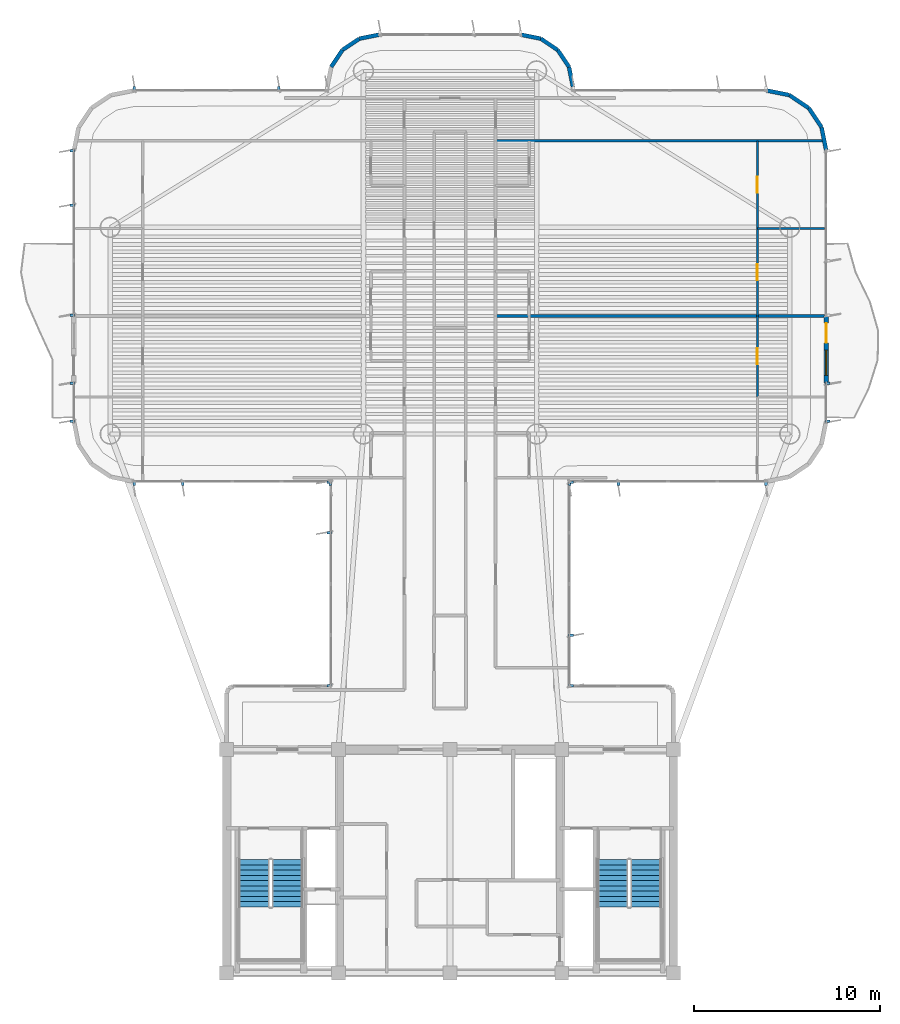
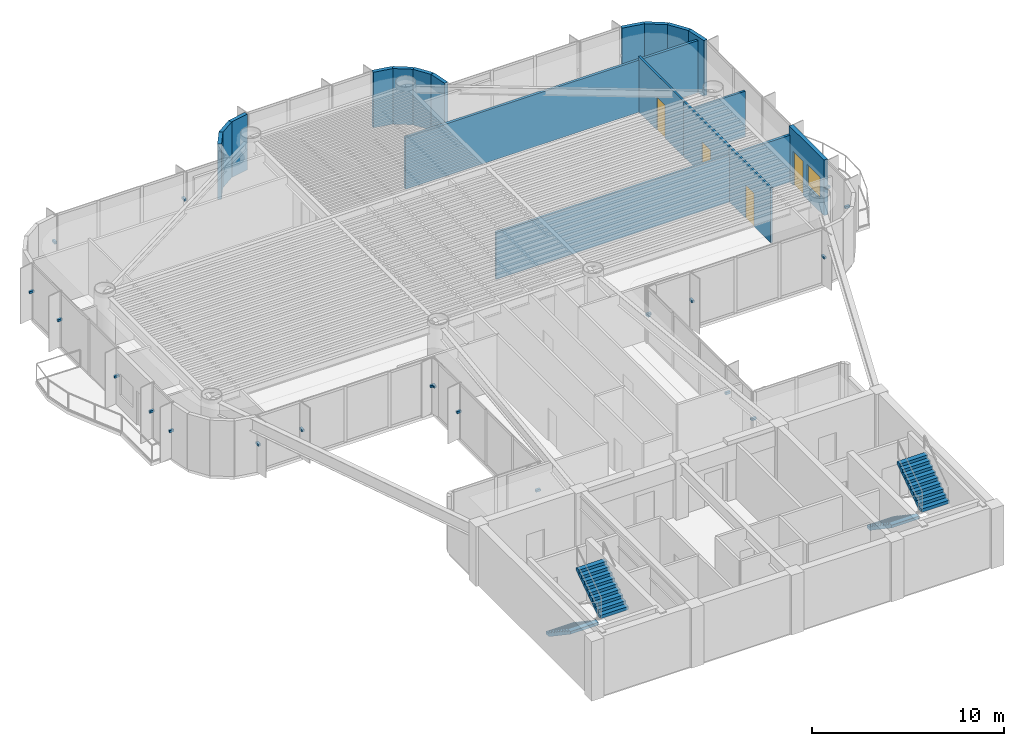
# One storey, part 12 of 15: 21 discrete accessories, 18 walls, 4 doors, 4 stair flights, 1 window, 5 openings, 2 elements without a shape of their own.
"""IFC4 building model written with IfcOpenShell, lengths in metres."""

import ifcopenshell
import ifcopenshell.guid

model = None  # the IFC model being written
_history = None  # IfcOwnerHistory: only IFC2X3 demands one
_inside = {}  # id of a spatial element -> (the spatial element, [elements in it])
_under = {}  # id of a project, library or spatial element -> (it, [spatial elements below it])
_declared = {}  # id of a project -> (the project, [libraries it declares])
_typed = {}  # id of a type object -> (the type object, [elements of that type])
_made_of = {}  # id of a material, layer set ... -> (it, [elements and type objects made of it])


def new_model(schema):
    """Start an empty IFC model of exactly this schema.

    Asked for "IFC4X3", IfcOpenShell would pick the latest addendum, in which some entities
    have other attributes; the version numbers below select the first issue.
    IFC2X3 requires an IfcOwnerHistory on every rooted entity: one is made here for all.
    """
    global model, _history
    if schema == "IFC4X3":
        model = ifcopenshell.file(schema_version=(4, 3, 0, 0))
    else:
        model = ifcopenshell.file(schema=schema)
    _inside.clear()
    _under.clear()
    _declared.clear()
    _typed.clear()
    _made_of.clear()
    _history = None
    if model.schema == "IFC2X3":
        org = make("IfcOrganization", Name="unknown")
        user = make(
            "IfcPersonAndOrganization",
            ThePerson=make("IfcPerson", FamilyName="unknown"),
            TheOrganization=org,
        )
        app = make(
            "IfcApplication",
            ApplicationDeveloper=org,
            Version="unknown",
            ApplicationFullName="unknown",
            ApplicationIdentifier="unknown",
        )
        _history = make(
            "IfcOwnerHistory",
            OwningUser=user,
            OwningApplication=app,
            ChangeAction="ADDED",
            CreationDate=0,
        )
    return model


def make(cls, **values):
    """One entity of the class cls with the attributes given. An attribute that is None is left unset."""
    return model.create_entity(
        cls, **{name: value for name, value in values.items() if value is not None}
    )


def rooted(cls, **values):
    """An entity with a GlobalId (a new one), such as an element, a storey or a relation."""
    return make(cls, GlobalId=ifcopenshell.guid.new(), OwnerHistory=_history, **values)


def si_unit(unit_type, name, prefix=None):
    """IfcSIUnit, for example si_unit("LENGTHUNIT", "METRE", prefix="MILLI")."""
    return make("IfcSIUnit", UnitType=unit_type, Prefix=prefix, Name=name)


def assignment(units):
    """IfcUnitAssignment: the units of a project."""
    return None if units is None else make("IfcUnitAssignment", Units=units)


def point(xyz):
    """IfcCartesianPoint."""
    return None if xyz is None else make("IfcCartesianPoint", Coordinates=xyz)


def direction(xyz):
    """IfcDirection."""
    return None if xyz is None else make("IfcDirection", DirectionRatios=xyz)


def frame(location, z_axis=None, x_axis=None):
    """IfcAxis2Placement3D, a coordinate frame: its origin and axes. An axis left out is left unset."""
    return make(
        "IfcAxis2Placement3D",
        Location=point(location),
        Axis=direction(z_axis),
        RefDirection=direction(x_axis),
    )


def frame_2d(location, x_axis=None):
    """IfcAxis2Placement2D, a coordinate frame in the plane: its origin and x axis."""
    return make(
        "IfcAxis2Placement2D", Location=point(location), RefDirection=direction(x_axis)
    )


def origin():
    """The frame at (0, 0, 0) with its axes left unset."""
    return frame((0.0, 0.0, 0.0))


def origin_2d():
    """The frame at (0, 0) in the plane with its x axis left unset."""
    return frame_2d((0.0, 0.0))


def place(relative_to, where):
    """IfcLocalPlacement: puts the frame where relative to a parent placement (None: the world)."""
    return make(
        "IfcLocalPlacement", PlacementRelTo=relative_to, RelativePlacement=where
    )


def context(
    kind, dimensions, precision=None, world=None, true_north=None, identifier=None
):
    """IfcGeometricRepresentationContext, for example the 3D "Model" context."""
    return make(
        "IfcGeometricRepresentationContext",
        ContextIdentifier=identifier,
        ContextType=kind,
        CoordinateSpaceDimension=dimensions,
        Precision=precision,
        WorldCoordinateSystem=world,
        TrueNorth=true_north,
    )


def subcontext(parent, identifier, kind, view, scale=None):
    """IfcGeometricRepresentationSubContext, for example "Body" below "Model"."""
    return make(
        "IfcGeometricRepresentationSubContext",
        ContextIdentifier=identifier,
        ContextType=kind,
        ParentContext=parent,
        TargetScale=scale,
        TargetView=view,
    )


def project(units=None, contexts=None):
    """IfcProject with its units and contexts."""
    return rooted(
        "IfcProject",
        Name="project",
        RepresentationContexts=contexts,
        UnitsInContext=assignment(units),
    )


def spatial(cls, under=None, at=None, **own):
    """A site, building, storey or space (cls), placed at a placement, below another one or the project."""
    s = rooted(cls, ObjectPlacement=at, **own)
    if under is not None:
        _under.setdefault(under.id(), (under, []))[1].append(s)
    return s


def polyline(points):
    """IfcPolyline through the points."""
    return make("IfcPolyline", Points=[point(p) for p in points])


def profile(cls, at=None, kind="AREA", **sizes):
    """A parametric profile (cls). Its sizes go by their IFC names, for example OverallWidth=200.0."""
    return make(cls, ProfileType=kind, Position=at, **sizes)


def rectangle(**sizes):
    """IfcRectangleProfileDef."""
    return profile("IfcRectangleProfileDef", **sizes)


def outline(outer, holes=None, kind="AREA"):
    """IfcArbitraryClosedProfileDef: a profile drawn as a closed curve; with holes, ...WithVoids."""
    if holes is None:
        return make("IfcArbitraryClosedProfileDef", ProfileType=kind, OuterCurve=outer)
    return make(
        "IfcArbitraryProfileDefWithVoids",
        ProfileType=kind,
        OuterCurve=outer,
        InnerCurves=holes,
    )


def extrude(swept, where, along, depth):
    """IfcExtrudedAreaSolid: the profile swept, set in the frame where, extruded along a direction by depth."""
    return make(
        "IfcExtrudedAreaSolid",
        SweptArea=swept,
        Position=where,
        ExtrudedDirection=direction(along),
        Depth=depth,
    )


def shape(context_of_items, identifier, shape_type, items):
    """IfcShapeRepresentation: the items that make up one representation, for example the "Body"."""
    return make(
        "IfcShapeRepresentation",
        ContextOfItems=context_of_items,
        RepresentationIdentifier=identifier,
        RepresentationType=shape_type,
        Items=items,
    )


def source(mapping_origin, context_of_items, identifier, shape_type, items):
    """IfcRepresentationMap: a shape defined once, which mapped items show again and again."""
    return make(
        "IfcRepresentationMap",
        MappingOrigin=mapping_origin,
        MappedRepresentation=shape(context_of_items, identifier, shape_type, items),
    )


def transform(
    local_origin,
    x_axis=None,
    y_axis=None,
    z_axis=None,
    scale=None,
    scale2=None,
    scale3=None,
    uniform=True,
):
    """IfcCartesianTransformationOperator3D, or its non-uniform kind. x_axis, y_axis, z_axis: its Axis1, 2, 3."""
    if uniform:
        return make(
            "IfcCartesianTransformationOperator3D",
            Axis1=direction(x_axis),
            Axis2=direction(y_axis),
            LocalOrigin=point(local_origin),
            Scale=scale,
            Axis3=direction(z_axis),
        )
    return make(
        "IfcCartesianTransformationOperator3DnonUniform",
        Axis1=direction(x_axis),
        Axis2=direction(y_axis),
        LocalOrigin=point(local_origin),
        Scale=scale,
        Axis3=direction(z_axis),
        Scale2=scale2,
        Scale3=scale3,
    )


def mapped(mapping_source, mapping_target):
    """IfcMappedItem: shows the shape of a source again, moved by a transform."""
    return make(
        "IfcMappedItem", MappingSource=mapping_source, MappingTarget=mapping_target
    )


def material(Name=None, Category=None):
    """IfcMaterial."""
    return make("IfcMaterial", Name=Name, Category=Category)


def layer(
    of_material, thickness, ventilated=None, Name=None, Category=None, Priority=None
):
    """IfcMaterialLayer: one layer of a wall or slab, of a material (None: an air gap)."""
    return make(
        "IfcMaterialLayer",
        Material=of_material,
        LayerThickness=thickness,
        IsVentilated=ventilated,
        Name=Name,
        Category=Category,
        Priority=Priority,
    )


def layer_set(layers, Name=None):
    """IfcMaterialLayerSet."""
    return make("IfcMaterialLayerSet", MaterialLayers=layers, LayerSetName=Name)


def made_of(thing, what):
    """Note that an element or type object is made of a material, layer set ...; save() writes the relation."""
    if what is not None:
        _made_of.setdefault(what.id(), (what, []))[1].append(thing)
    return thing


def type_object(cls, material=None, **own):
    """A type object (cls), such as IfcWallType, which elements share."""
    return made_of(rooted(cls, **own), material)


def element(
    cls,
    number,
    at=None,
    inside=None,
    cuts=None,
    type_object=None,
    material=None,
    context=None,
    identifier="Body",
    shape_type=None,
    held_by="IfcProductDefinitionShape",
    body=None,
    shapes=None,
    **own,
):
    """One element of the class cls, such as IfcWall. Its Tag is "e" and its number.

    at: its placement. inside: the storey or other place that contains it. cuts: it is an
    opening in that element (IfcRelVoidsElement). A single representation is given by context,
    identifier, shape_type and body (its items); several are given by shapes. held_by: the class
    of the entity that holds the representations. save() writes the other relations.
    """
    e = rooted(cls, Tag="e%d" % number, ObjectPlacement=at, **own)
    if body is not None:
        shapes = [shape(context, identifier, shape_type, body)]
    if shapes is not None:
        e.Representation = make(held_by, Representations=shapes)
    if inside is not None:
        _inside.setdefault(inside.id(), (inside, []))[1].append(e)
    if cuts is not None:
        rooted(
            "IfcRelVoidsElement", RelatingBuildingElement=cuts, RelatedOpeningElement=e
        )
    if type_object is not None:
        _typed.setdefault(type_object.id(), (type_object, []))[1].append(e)
    return made_of(e, material)


def fill(opening, filler):
    """IfcRelFillsElement: the door or window that sits in an opening."""
    return rooted(
        "IfcRelFillsElement",
        RelatingOpeningElement=opening,
        RelatedBuildingElement=filler,
    )


def aggregate(whole, parts):
    """IfcRelAggregates: a whole, such as a stair, and the parts it consists of."""
    return rooted("IfcRelAggregates", RelatingObject=whole, RelatedObjects=parts)


def save(model, path):
    """Write the relations noted so far, then the file.

    IfcRelAggregates (storeys below a building ...), IfcRelContainedInSpatialStructure (elements
    in a storey), IfcRelDefinesByType, IfcRelAssociatesMaterial and IfcRelDeclares: one each for
    every whole, place, type object, material and project.
    """
    for whole, parts in _under.values():
        aggregate(whole, parts)
    for where, things in _inside.values():
        rooted(
            "IfcRelContainedInSpatialStructure",
            RelatedElements=things,
            RelatingStructure=where,
        )
    for kind, things in _typed.values():
        rooted("IfcRelDefinesByType", RelatedObjects=things, RelatingType=kind)
    for what, things in _made_of.values():
        rooted("IfcRelAssociatesMaterial", RelatedObjects=things, RelatingMaterial=what)
    for by, libraries in _declared.values():
        rooted("IfcRelDeclares", RelatingContext=by, RelatedDefinitions=libraries)
    model.write(path)


model = new_model("IFC4")

# Units and contexts
model_context = context("Model", 3, precision=1e-05, world=origin(), true_north=direction((0.0, 1.0)))
body_context = subcontext(model_context, "Body", "Model", "MODEL_VIEW")
ifc_project = project(units=[si_unit("LENGTHUNIT", "METRE"), si_unit("AREAUNIT", "SQUARE_METRE"), si_unit("VOLUMEUNIT", "CUBIC_METRE"), si_unit("PLANEANGLEUNIT", "RADIAN"), si_unit("MASSUNIT", "GRAM", prefix="KILO")], contexts=[model_context])

# Site, building, storey
site_placement = place(None, origin())
site = spatial("IfcSite", under=ifc_project, at=site_placement, CompositionType="ELEMENT")
building_placement = place(site_placement, origin())
building = spatial("IfcBuilding", under=site, at=building_placement, Name="Brelvock Crest Care Tower", CompositionType="ELEMENT")
storey_placement = place(building_placement, frame((0.0, 0.0, 163.97998046875)))
storey = spatial("IfcBuildingStorey", under=building, at=storey_placement, Name="L41", CompositionType="ELEMENT", Elevation=163.97998046875)

# Wall, openings, door, window
ifc_material_1 = material(Name="Precast concrete N40 (40 MPa)", Category="concrete")
ifc_layer_1 = layer(ifc_material_1, 0.239990234375, Name="WL-EX1")
ifc_layer_set_1 = layer_set([ifc_layer_1], Name="Precast concrete N40 (40 MPa)")
wall_type_1 = type_object("IfcWallType", Name="WL-EX1", PredefinedType="SOLIDWALL", material=ifc_layer_set_1)
wall_1_placement = place(storey_placement, frame((56.199951171875, 41.300048828125, 0.0), z_axis=(0.0, 0.0, 1.0), x_axis=(0.0, -1.0, 0.0)))
wall_1 = element("IfcWall", 1, at=wall_1_placement, inside=storey, type_object=wall_type_1, Name="L41 Exterior Spandrel Wall WL-BAL-L41-E", PredefinedType="SOLIDWALL", context=body_context, shape_type="SweptSolid", body=[
    extrude(rectangle(XDim=3.60009765625, YDim=0.239990234375, at=frame_2d((1.800048828125, 0.0))), origin(), (0.0, 0.0, 1.0), 3.530029296875),
])
opening_1_placement = place(wall_1_placement, frame((0.39990234375, 0.0, 0.0)))
opening_1 = element("IfcOpeningElement", 2, at=opening_1_placement, cuts=wall_1, Name="Opening BD-1", PredefinedType="OPENING", context=body_context, shape_type="SweptSolid", body=[
    extrude(rectangle(XDim=1.050048828125, YDim=2.14990234375, at=origin_2d()), frame((0.52490234375, 0.1298828125, 1.074951171875), z_axis=(0.0, -1.0, 0.0), x_axis=(1.0, 0.0, 0.0)), (0.0, 0.0, 1.0), 0.260009765625),
])
opening_2_placement = place(wall_1_placement, frame((1.85009765625, 0.0, 0.85009765625)))
opening_2 = element("IfcOpeningElement", 3, at=opening_2_placement, cuts=wall_1, Name="Opening W-01", PredefinedType="OPENING", context=body_context, shape_type="SweptSolid", body=[
    extrude(rectangle(XDim=1.35009765625, YDim=1.35009765625, at=origin_2d()), frame((0.675048828125, 0.1298828125, 0.675048828125), z_axis=(0.0, -1.0, 0.0), x_axis=(1.0, 0.0, 0.0)), (0.0, 0.0, 1.0), 0.260009765625),
])
ifc_material_2 = material(Name="Dark Glass Double Glazed Low-E", Category="glass")
door_type_1 = type_object("IfcDoorType", Name="DR-BAL1", OperationType="NOTDEFINED", PredefinedType="DOOR", material=ifc_material_2)
shared_shape_1 = source(origin(), body_context, "Body", "SweptSolid", [
    extrude(rectangle(XDim=1.050048828125, YDim=2.14990234375, at=origin_2d()), frame((0.52490234375, 0.02490234375, 1.074951171875), z_axis=(0.0, -1.0, 0.0), x_axis=(1.0, 0.0, 0.0)), (0.0, 0.0, 1.0), 0.050048828125),
])
door_1_placement = place(opening_1_placement, origin())
door_1 = element("IfcDoor", 4, at=door_1_placement, inside=storey, type_object=door_type_1, Name="L41 E Wave Balcony Glazed Door", OperationType="SINGLE_SWING_RIGHT", OverallHeight=2.14990234375, OverallWidth=1.050048828125, PredefinedType="DOOR", context=body_context, shape_type="MappedRepresentation", body=[
    mapped(shared_shape_1, transform((0.0, 0.0, 0.0), x_axis=(1.0, 0.0, 0.0), y_axis=(0.0, 1.0, 0.0), z_axis=(0.0, 0.0, 1.0), scale=1.0)),
])
fill(opening_1, door_1)
window_type = type_object("IfcWindowType", Name="WN-EX1", PartitioningType="SINGLE_PANEL", PredefinedType="WINDOW", material=ifc_material_2)
shared_shape_2 = source(origin(), body_context, "Body", "SweptSolid", [
    extrude(rectangle(XDim=1.35009765625, YDim=1.35009765625, at=origin_2d()), frame((0.675048828125, 0.030029296875, 0.675048828125), z_axis=(0.0, -1.0, 0.0), x_axis=(1.0, 0.0, 0.0)), (0.0, 0.0, 1.0), 0.06005859375),
])
window_placement = place(opening_2_placement, origin())
window = element("IfcWindow", 5, at=window_placement, inside=storey, type_object=window_type, Name="L41 E Suite Casement Window", OverallHeight=1.35009765625, OverallWidth=1.35009765625, PartitioningType="SINGLE_PANEL", PredefinedType="WINDOW", context=body_context, shape_type="MappedRepresentation", body=[
    mapped(shared_shape_2, transform((0.0, 0.0, 0.0), x_axis=(1.0, 0.0, 0.0), y_axis=(0.0, 1.0, 0.0), z_axis=(0.0, 0.0, 1.0), scale=1.0)),
])
fill(opening_2, window)

# Walls
ifc_layer_2 = layer(ifc_material_1, 0.215087890625, Name="WL-EX2")
ifc_layer_set_2 = layer_set([ifc_layer_2], Name="Precast concrete N40 (40 MPa)")
wall_type_2 = type_object("IfcWallType", Name="WL-EX2", PredefinedType="SOLIDWALL", material=ifc_layer_set_2)
wall_2_placement = place(storey_placement, frame((29.613037109375, 54.67138671875, 0.0), z_axis=(0.0, 0.0, 1.0), x_axis=(0.555679482341, 0.831396603857, 0.0)))
element("IfcWall", 6, at=wall_2_placement, inside=storey, type_object=wall_type_2, Name="L41 Rounded Corner Wall 25", PredefinedType="SOLIDWALL", context=body_context, shape_type="SweptSolid", body=[
    extrude(rectangle(XDim=1.0927734375, YDim=0.215087890625, at=frame_2d((0.54638671875, 0.0))), origin(), (0.0, 0.0, 1.0), 3.530029296875),
])
for number, where, z_axis, x_axis, name in (
    (7, (30.22021484375, 55.579833984375, 0.0), (0.0, 0.0, 1.0), (0.831327592857, 0.555782721353, 0.0), "L41 Rounded Corner Wall 26"),
    (8, (31.12841796875, 56.18701171875, 0.0), (0.0, 0.0, 1.0), (0.980829143587, 0.194869677195, 0.0), "L41 Rounded Corner Wall 27"),
    (9, (39.800048828125, 56.39990234375, 0.0), (0.0, 0.0, 1.0), (0.980829143587, -0.194869677195, 0.0), "L41 Rounded Corner Wall 29"),
    (10, (40.87158203125, 56.18701171875, 0.0), (0.0, 0.0, 1.0), (0.831327592857, -0.555782721353, 0.0), "L41 Rounded Corner Wall 30"),
):
    element("IfcWall", number, at=place(storey_placement, frame(where, z_axis=z_axis, x_axis=x_axis)), inside=storey, type_object=wall_type_2, Name=name, PredefinedType="SOLIDWALL", context=body_context, shape_type="SweptSolid", body=[
        extrude(rectangle(XDim=1.092529296875, YDim=0.215087890625, at=frame_2d((0.54638671875, 0.0))), origin(), (0.0, 0.0, 1.0), 3.530029296875),
    ])
wall_3_placement = place(storey_placement, frame((41.77978515625, 55.579833984375, 0.0), z_axis=(0.0, 0.0, 1.0), x_axis=(0.555679482341, -0.831396603857, 0.0)))
element("IfcWall", 11, at=wall_3_placement, inside=storey, type_object=wall_type_2, Name="L41 Rounded Corner Wall 31", PredefinedType="SOLIDWALL", context=body_context, shape_type="SweptSolid", body=[
    extrude(rectangle(XDim=1.0927734375, YDim=0.215087890625, at=frame_2d((0.54638671875, 0.0))), origin(), (0.0, 0.0, 1.0), 3.530029296875),
])
wall_4_placement = place(storey_placement, frame((42.386962890625, 54.67138671875, 0.0), z_axis=(0.0, 0.0, 1.0), x_axis=(0.195127417394, -0.980777900945, 0.0)))
element("IfcWall", 12, at=wall_4_placement, inside=storey, type_object=wall_type_2, Name="L41 Rounded Corner Wall 32", PredefinedType="SOLIDWALL", context=body_context, shape_type="SweptSolid", body=[
    extrude(rectangle(XDim=1.09228515625, YDim=0.215087890625, at=frame_2d((0.546142578125, 0.0))), origin(), (0.0, 0.0, 1.0), 3.530029296875),
])
for number, where, z_axis, x_axis, name in (
    (13, (53.0, 53.39990234375, 0.0), (0.0, 0.0, 1.0), (0.980813122964, -0.194950295773, 0.0), "L41 Rounded Corner Wall 35"),
    (14, (54.224609375, 53.156494140625, 0.0), (0.0, 0.0, 1.0), (0.831387912822, -0.555692485475, 0.0), "L41 Rounded Corner Wall 36"),
    (15, (55.2626953125, 52.462646484375, 0.0), (0.0, 0.0, 1.0), (0.555557312883, -0.831478245117, 0.0), "L41 Rounded Corner Wall 37"),
    (16, (55.956298828125, 51.424560546875, 0.0), (0.0, 0.0, 1.0), (0.195138390419, -0.980775717779, 0.0), "L41 Rounded Corner Wall 38"),
):
    element("IfcWall", number, at=place(storey_placement, frame(where, z_axis=z_axis, x_axis=x_axis)), inside=storey, type_object=wall_type_2, Name=name, PredefinedType="SOLIDWALL", context=body_context, shape_type="SweptSolid", body=[
        extrude(rectangle(XDim=1.24853515625, YDim=0.215087890625, at=frame_2d((0.624267578125, 0.0))), origin(), (0.0, 0.0, 1.0), 3.530029296875),
    ])
ifc_material_3 = material(Name="Masonry Blockwork Acoustic Partition", Category="masonry")
ifc_layer_3 = layer(ifc_material_3, 0.14990234375, Name="WL-INT1")
ifc_layer_set_3 = layer_set([ifc_layer_3], Name="Masonry Blockwork Acoustic Partition")
wall_type_3 = type_object("IfcWallType", Name="WL-INT1", PredefinedType="PARTITIONING", material=ifc_layer_set_3)
wall_5_placement = place(storey_placement, frame((38.449951171875, 41.2880859375, 0.0), z_axis=(0.0, 0.0, 1.0), x_axis=(1.0, 0.0, 0.0)))
element("IfcWall", 17, at=wall_5_placement, inside=storey, type_object=wall_type_3, Name="L41 Interior Wall WL-BX-L41-FL-EF1-N", PredefinedType="PARTITIONING", context=body_context, shape_type="SweptSolid", body=[
    extrude(rectangle(XDim=17.670166015625, YDim=0.14990234375, at=frame_2d((8.8349609375, 0.0))), origin(), (0.0, 0.0, 1.0), 2.98193359375),
])
wall_6_placement = place(storey_placement, frame((38.449951171875, 50.699951171875, 0.0), z_axis=(0.0, 0.0, 1.0), x_axis=(1.0, 0.0, 0.0)))
element("IfcWall", 18, at=wall_6_placement, inside=storey, type_object=wall_type_3, Name="L41 Interior Wall WL-BX-L41-FL-EF2-N", PredefinedType="PARTITIONING", context=body_context, shape_type="SweptSolid", body=[
    extrude(rectangle(XDim=17.569091796875, YDim=0.14990234375, at=frame_2d((8.78466796875, 0.0))), origin(), (0.0, 0.0, 1.0), 3.30810546875),
])
ifc_material_4 = material(Name="Gypsum Plasterboard Partition", Category="gypsum")
ifc_layer_4 = layer(ifc_material_4, 0.1201171875, Name="WL-INT2")
ifc_layer_set_4 = layer_set([ifc_layer_4], Name="Gypsum Plasterboard Partition")
wall_type_4 = type_object("IfcWallType", Name="WL-INT2", PredefinedType="PARTITIONING", material=ifc_layer_set_4)
wall_7_placement = place(storey_placement, frame((52.510009765625, 45.993896484375, 0.0), z_axis=(0.0, 0.0, 1.0), x_axis=(1.0, 0.0, 0.0)))
element("IfcWall", 19, at=wall_7_placement, inside=storey, type_object=wall_type_4, Name="L41 Interior Wall WL-UBSP-L41-EF2", PredefinedType="PARTITIONING", context=body_context, shape_type="SweptSolid", body=[
    extrude(rectangle(XDim=3.610107421875, YDim=0.1201171875, at=frame_2d((1.80517578125, 0.0))), origin(), (0.0, 0.0, 1.0), 2.903076171875),
])

# Wall, opening, door
wall_8_placement = place(storey_placement, frame((52.510009765625, 36.944091796875, 0.0), z_axis=(0.0, 0.0, 1.0), x_axis=(0.0, 1.0, 0.0)))
wall_8 = element("IfcWall", 20, at=wall_8_placement, inside=storey, type_object=wall_type_4, Name="L41 Interior Wall WL-UBD2-L41-EF1", PredefinedType="PARTITIONING", context=body_context, shape_type="SweptSolid", body=[
    extrude(rectangle(XDim=4.343994140625, YDim=0.1201171875, at=frame_2d((2.171875, 0.0))), origin(), (0.0, 0.0, 1.0), 3.5),
])
opening_3_placement = place(wall_8_placement, frame((1.741943359375, 0.0, 0.0)))
opening_3 = element("IfcOpeningElement", 21, at=opening_3_placement, cuts=wall_8, Name="Opening ID-1", PredefinedType="OPENING", context=body_context, shape_type="SweptSolid", body=[
    extrude(rectangle(XDim=0.860107421875, YDim=2.10009765625, at=origin_2d()), frame((0.43017578125, 0.070068359375, 1.050048828125), z_axis=(0.0, -1.0, 0.0), x_axis=(1.0, 0.0, 0.0)), (0.0, 0.0, 1.0), 0.14013671875),
])
ifc_material_5 = material(Name="Engineered Hardwood Timber", Category="wood")
door_type_2 = type_object("IfcDoorType", Name="DR-INT1", OperationType="NOTDEFINED", PredefinedType="DOOR", material=ifc_material_5)
shared_shape_3 = source(origin(), body_context, "Body", "SweptSolid", [
    extrude(rectangle(XDim=0.860107421875, YDim=2.10009765625, at=origin_2d()), frame((0.43017578125, 0.02490234375, 1.050048828125), z_axis=(0.0, -1.0, 0.0), x_axis=(1.0, 0.0, 0.0)), (0.0, 0.0, 1.0), 0.050048828125),
])
door_2_placement = place(opening_3_placement, origin())
door_2 = element("IfcDoor", 22, at=door_2_placement, inside=storey, type_object=door_type_2, Name="L41 Second Room Door EF1", OperationType="SINGLE_SWING_LEFT", OverallHeight=2.10009765625, OverallWidth=0.860107421875, PredefinedType="DOOR", context=body_context, shape_type="MappedRepresentation", body=[
    mapped(shared_shape_3, transform((0.0, 0.0, 0.0), x_axis=(1.0, 0.0, 0.0), y_axis=(0.0, 1.0, 0.0), z_axis=(0.0, 0.0, 1.0), scale=1.0)),
])
fill(opening_3, door_2)

wall_9_placement = place(storey_placement, frame((52.510009765625, 41.2880859375, 0.0), z_axis=(0.0, 0.0, 1.0), x_axis=(0.0, 1.0, 0.0)))
wall_9 = element("IfcWall", 23, at=wall_9_placement, inside=storey, type_object=wall_type_4, Name="L41 Interior Wall WL-UBD1-L41-EF2", PredefinedType="PARTITIONING", context=body_context, shape_type="SweptSolid", body=[
    extrude(rectangle(XDim=4.705810546875, YDim=0.1201171875, at=frame_2d((2.35302734375, 0.0))), origin(), (0.0, 0.0, 1.0), 3.5),
])
opening_4_placement = place(wall_9_placement, frame((1.923095703125, 0.0, 0.0)))
opening_4 = element("IfcOpeningElement", 24, at=opening_4_placement, cuts=wall_9, Name="Opening ID-1", PredefinedType="OPENING", context=body_context, shape_type="SweptSolid", body=[
    extrude(rectangle(XDim=0.860107421875, YDim=2.10009765625, at=origin_2d()), frame((0.43017578125, 0.070068359375, 1.050048828125), z_axis=(0.0, -1.0, 0.0), x_axis=(1.0, 0.0, 0.0)), (0.0, 0.0, 1.0), 0.14013671875),
])
door_3_placement = place(opening_4_placement, origin())
door_3 = element("IfcDoor", 25, at=door_3_placement, inside=storey, type_object=door_type_2, Name="L41 Primary Bedroom Door EF2", OperationType="SINGLE_SWING_RIGHT", OverallHeight=2.10009765625, OverallWidth=0.860107421875, PredefinedType="DOOR", context=body_context, shape_type="MappedRepresentation", body=[
    mapped(shared_shape_3, transform((0.0, 0.0, 0.0), x_axis=(1.0, 0.0, 0.0), y_axis=(0.0, 1.0, 0.0), z_axis=(0.0, 0.0, 1.0), scale=1.0)),
])
fill(opening_4, door_3)

wall_10_placement = place(storey_placement, frame((52.510009765625, 45.993896484375, 0.0), z_axis=(0.0, 0.0, 1.0), x_axis=(0.0, 1.0, 0.0)))
wall_10 = element("IfcWall", 26, at=wall_10_placement, inside=storey, type_object=wall_type_4, Name="L41 Interior Wall WL-UBD2-L41-EF2", PredefinedType="PARTITIONING", context=body_context, shape_type="SweptSolid", body=[
    extrude(rectangle(XDim=4.7060546875, YDim=0.1201171875, at=frame_2d((2.35302734375, 0.0))), origin(), (0.0, 0.0, 1.0), 3.5),
])
opening_5_placement = place(wall_10_placement, frame((1.923095703125, 0.0, 0.0)))
opening_5 = element("IfcOpeningElement", 27, at=opening_5_placement, cuts=wall_10, Name="Opening ID-1", PredefinedType="OPENING", context=body_context, shape_type="SweptSolid", body=[
    extrude(rectangle(XDim=0.860107421875, YDim=2.10009765625, at=origin_2d()), frame((0.43017578125, 0.070068359375, 1.050048828125), z_axis=(0.0, -1.0, 0.0), x_axis=(1.0, 0.0, 0.0)), (0.0, 0.0, 1.0), 0.14013671875),
])
door_4_placement = place(opening_5_placement, origin())
door_4 = element("IfcDoor", 28, at=door_4_placement, inside=storey, type_object=door_type_2, Name="L41 Second Room Door EF2", OperationType="SINGLE_SWING_LEFT", OverallHeight=2.10009765625, OverallWidth=0.860107421875, PredefinedType="DOOR", context=body_context, shape_type="MappedRepresentation", body=[
    mapped(shared_shape_3, transform((0.0, 0.0, 0.0), x_axis=(1.0, 0.0, 0.0), y_axis=(0.0, 1.0, 0.0), z_axis=(0.0, 0.0, 1.0), scale=1.0)),
])
fill(opening_5, door_4)

# Stair, stair flights
ifc_material_6 = material(Name="Concrete N40 (40 MPa)", Category="concrete")
stair_type = type_object("IfcStairType", Name="ST-CORE1", PredefinedType="HALF_TURN_STAIR", material=ifc_material_6)
stair_1_placement = place(storey_placement, origin())
stair_1 = element("IfcStair", 29, at=stair_1_placement, inside=storey, type_object=stair_type, Name="L41 Fire-Isolated Core Stair ST-1", PredefinedType="HALF_TURN_STAIR")
stair_flight_type = type_object("IfcStairFlightType", Name="STF-1", PredefinedType="STRAIGHT", material=ifc_material_6)
stair_flight_1_placement = place(storey_placement, frame((25.469970703125, 12.080078125, 0.0), z_axis=(0.0, 0.0, 1.0), x_axis=(0.0, -1.0, 0.0)))
stair_flight_1 = element("IfcStairFlight", 30, at=stair_flight_1_placement, type_object=stair_flight_type, Name="ST-1 flight 1", NumberOfRisers=10, NumberOfTreads=9, PredefinedType="STRAIGHT", RiserHeight=0.189, TreadLength=0.28, context=body_context, shape_type="SweptSolid", body=[
    extrude(outline(polyline([(-0.00390625, -0.014892578125), (-0.00390625, -0.0078125), (-0.00390625, -0.00048828125), (-0.00390625, 0.0068359375), (-0.00390625, 0.01416015625), (-0.00390625, 0.021484375), (-0.00390625, 0.02880859375), (-0.00390625, 0.035888671875), (-0.00390625, 0.043212890625), (-0.00390625, 0.050537109375), (-0.00390625, 0.057861328125), (-0.00390625, 0.065185546875), (-0.00390625, 0.072509765625), (-0.00390625, 0.07958984375), (-0.00390625, 0.0869140625), (-0.00390625, 0.09423828125), (-0.00390625, 0.1015625), (-0.00390625, 0.10888671875), (-0.00390625, 0.1162109375), (-0.00390625, 0.12353515625), (-0.00390625, 0.130615234375), (-0.00390625, 0.137939453125), (-0.00390625, 0.145263671875), (-0.00390625, 0.152587890625), (-0.00390625, 0.159912109375), (-0.00390625, 0.167236328125), (-0.00390625, 0.17431640625), (-0.00390625, 0.181640625), (-0.00390625, 0.18896484375), (0.0, 0.18896484375), (0.280029296875, 0.18896484375), (0.280029296875, 0.3779296875), (0.56005859375, 0.3779296875), (0.56005859375, 0.56689453125), (0.840087890625, 0.56689453125), (0.840087890625, 0.756103515625), (1.1201171875, 0.756103515625), (1.1201171875, 0.945068359375), (1.39990234375, 0.945068359375), (1.39990234375, 1.134033203125), (1.679931640625, 1.134033203125), (1.679931640625, 1.322998046875), (1.9599609375, 1.322998046875), (1.9599609375, 1.511962890625), (2.239990234375, 1.511962890625), (2.239990234375, 1.700927734375), (2.52001953125, 1.700927734375), (2.52392578125, 1.700927734375), (2.523681640625, 1.70068359375), (2.52392578125, 1.700439453125), (2.523681640625, 1.699951171875), (2.52392578125, 1.69970703125), (2.523681640625, 1.699462890625), (2.52392578125, 1.698974609375), (2.523681640625, 1.69873046875), (2.52392578125, 1.698486328125), (2.523681640625, 1.697998046875), (2.52392578125, 1.69775390625), (2.523681640625, 1.697509765625), (2.52392578125, 1.697021484375), (2.523681640625, 1.69677734375), (2.52392578125, 1.696533203125), (2.523681640625, 1.6962890625), (2.52392578125, 1.69580078125), (2.523681640625, 1.695556640625), (2.52392578125, 1.6953125), (2.523681640625, 1.69482421875), (2.52392578125, 1.694580078125), (2.523681640625, 1.6943359375), (2.52392578125, 1.69384765625), (2.523681640625, 1.693603515625), (2.52392578125, 1.693359375), (2.523681640625, 1.69287109375), (2.52392578125, 1.692626953125), (2.523681640625, 1.6923828125), (2.52392578125, 1.69189453125), (2.52001953125, 1.520263671875), (0.267822265625, 0.0), (0.0, 0.0), (0.0, -0.014892578125), (-0.00390625, -0.014892578125)])), frame((0.0, 0.83984375, 0.0), z_axis=(0.0, -1.0, 0.0), x_axis=(1.0, 0.0, 0.0)), (0.0, 0.0, 1.0), 1.679931640625),
])
stair_flight_2_placement = place(storey_placement, frame((27.27001953125, 9.56005859375, 1.89013671875), z_axis=(0.0, 0.0, 1.0), x_axis=(0.0, 1.0, 0.0)))
stair_flight_2 = element("IfcStairFlight", 31, at=stair_flight_2_placement, type_object=stair_flight_type, Name="ST-1 flight 2", NumberOfRisers=10, NumberOfTreads=9, PredefinedType="STRAIGHT", RiserHeight=0.189, TreadLength=0.28, context=body_context, shape_type="SweptSolid", body=[
    extrude(outline(polyline([(-0.00390625, -0.014892578125), (-0.00390625, -0.0078125), (-0.00390625, -0.00048828125), (-0.00390625, 0.0068359375), (-0.00390625, 0.01416015625), (-0.00390625, 0.021484375), (-0.00390625, 0.02880859375), (-0.00390625, 0.035888671875), (-0.00390625, 0.043212890625), (-0.00390625, 0.050537109375), (-0.00390625, 0.057861328125), (-0.00390625, 0.065185546875), (-0.00390625, 0.072509765625), (-0.00390625, 0.07958984375), (-0.00390625, 0.0869140625), (-0.00390625, 0.09423828125), (-0.00390625, 0.1015625), (-0.00390625, 0.10888671875), (-0.00390625, 0.1162109375), (-0.00390625, 0.12353515625), (-0.00390625, 0.130615234375), (-0.00390625, 0.137939453125), (-0.00390625, 0.145263671875), (-0.00390625, 0.152587890625), (-0.00390625, 0.159912109375), (-0.00390625, 0.167236328125), (-0.00390625, 0.17431640625), (-0.00390625, 0.181640625), (-0.00390625, 0.18896484375), (0.0, 0.18896484375), (0.280029296875, 0.18896484375), (0.280029296875, 0.3779296875), (0.56005859375, 0.3779296875), (0.56005859375, 0.56689453125), (0.840087890625, 0.56689453125), (0.840087890625, 0.756103515625), (1.1201171875, 0.756103515625), (1.1201171875, 0.945068359375), (1.39990234375, 0.945068359375), (1.39990234375, 1.134033203125), (1.679931640625, 1.134033203125), (1.679931640625, 1.322998046875), (1.9599609375, 1.322998046875), (1.9599609375, 1.511962890625), (2.239990234375, 1.511962890625), (2.239990234375, 1.700927734375), (2.52001953125, 1.700927734375), (2.52392578125, 1.700927734375), (2.523681640625, 1.70068359375), (2.52392578125, 1.700439453125), (2.523681640625, 1.699951171875), (2.52392578125, 1.69970703125), (2.523681640625, 1.699462890625), (2.52392578125, 1.698974609375), (2.523681640625, 1.69873046875), (2.52392578125, 1.698486328125), (2.523681640625, 1.697998046875), (2.52392578125, 1.69775390625), (2.523681640625, 1.697509765625), (2.52392578125, 1.697021484375), (2.523681640625, 1.69677734375), (2.52392578125, 1.696533203125), (2.523681640625, 1.6962890625), (2.52392578125, 1.69580078125), (2.523681640625, 1.695556640625), (2.52392578125, 1.6953125), (2.523681640625, 1.69482421875), (2.52392578125, 1.694580078125), (2.523681640625, 1.6943359375), (2.52392578125, 1.69384765625), (2.523681640625, 1.693603515625), (2.52392578125, 1.693359375), (2.523681640625, 1.69287109375), (2.52392578125, 1.692626953125), (2.523681640625, 1.6923828125), (2.52392578125, 1.69189453125), (2.52001953125, 1.520263671875), (0.267822265625, 0.0), (0.0, 0.0), (0.0, -0.014892578125), (-0.00390625, -0.014892578125)])), frame((0.0, 0.83984375, 0.0), z_axis=(0.0, -1.0, 0.0), x_axis=(1.0, 0.0, 0.0)), (0.0, 0.0, 1.0), 1.679931640625),
])
aggregate(stair_1, [stair_flight_1, stair_flight_2])

stair_2_placement = place(storey_placement, origin())
stair_2 = element("IfcStair", 32, at=stair_2_placement, inside=storey, type_object=stair_type, Name="L41 Fire-Isolated Core Stair ST-2", PredefinedType="HALF_TURN_STAIR")
stair_flight_3_placement = place(storey_placement, frame((44.72998046875, 12.080078125, 0.0), z_axis=(0.0, 0.0, 1.0), x_axis=(0.0, -1.0, 0.0)))
stair_flight_3 = element("IfcStairFlight", 33, at=stair_flight_3_placement, type_object=stair_flight_type, Name="ST-2 flight 1", NumberOfRisers=10, NumberOfTreads=9, PredefinedType="STRAIGHT", RiserHeight=0.189, TreadLength=0.28, context=body_context, shape_type="SweptSolid", body=[
    extrude(outline(polyline([(-0.00390625, -0.014892578125), (-0.00390625, -0.0078125), (-0.00390625, -0.00048828125), (-0.00390625, 0.0068359375), (-0.00390625, 0.01416015625), (-0.00390625, 0.021484375), (-0.00390625, 0.02880859375), (-0.00390625, 0.035888671875), (-0.00390625, 0.043212890625), (-0.00390625, 0.050537109375), (-0.00390625, 0.057861328125), (-0.00390625, 0.065185546875), (-0.00390625, 0.072509765625), (-0.00390625, 0.07958984375), (-0.00390625, 0.0869140625), (-0.00390625, 0.09423828125), (-0.00390625, 0.1015625), (-0.00390625, 0.10888671875), (-0.00390625, 0.1162109375), (-0.00390625, 0.12353515625), (-0.00390625, 0.130615234375), (-0.00390625, 0.137939453125), (-0.00390625, 0.145263671875), (-0.00390625, 0.152587890625), (-0.00390625, 0.159912109375), (-0.00390625, 0.167236328125), (-0.00390625, 0.17431640625), (-0.00390625, 0.181640625), (-0.00390625, 0.18896484375), (0.0, 0.18896484375), (0.280029296875, 0.18896484375), (0.280029296875, 0.3779296875), (0.56005859375, 0.3779296875), (0.56005859375, 0.56689453125), (0.840087890625, 0.56689453125), (0.840087890625, 0.756103515625), (1.1201171875, 0.756103515625), (1.1201171875, 0.945068359375), (1.39990234375, 0.945068359375), (1.39990234375, 1.134033203125), (1.679931640625, 1.134033203125), (1.679931640625, 1.322998046875), (1.9599609375, 1.322998046875), (1.9599609375, 1.511962890625), (2.239990234375, 1.511962890625), (2.239990234375, 1.700927734375), (2.52001953125, 1.700927734375), (2.52392578125, 1.700927734375), (2.523681640625, 1.70068359375), (2.52392578125, 1.700439453125), (2.523681640625, 1.699951171875), (2.52392578125, 1.69970703125), (2.523681640625, 1.699462890625), (2.52392578125, 1.698974609375), (2.523681640625, 1.69873046875), (2.52392578125, 1.698486328125), (2.523681640625, 1.697998046875), (2.52392578125, 1.69775390625), (2.523681640625, 1.697509765625), (2.52392578125, 1.697021484375), (2.523681640625, 1.69677734375), (2.52392578125, 1.696533203125), (2.523681640625, 1.6962890625), (2.52392578125, 1.69580078125), (2.523681640625, 1.695556640625), (2.52392578125, 1.6953125), (2.523681640625, 1.69482421875), (2.52392578125, 1.694580078125), (2.523681640625, 1.6943359375), (2.52392578125, 1.69384765625), (2.523681640625, 1.693603515625), (2.52392578125, 1.693359375), (2.523681640625, 1.69287109375), (2.52392578125, 1.692626953125), (2.523681640625, 1.6923828125), (2.52392578125, 1.69189453125), (2.52001953125, 1.520263671875), (0.267822265625, 0.0), (0.0, 0.0), (0.0, -0.014892578125), (-0.00390625, -0.014892578125)])), frame((0.0, 0.83984375, 0.0), z_axis=(0.0, -1.0, 0.0), x_axis=(1.0, 0.0, 0.0)), (0.0, 0.0, 1.0), 1.679931640625),
])
stair_flight_4_placement = place(storey_placement, frame((46.530029296875, 9.56005859375, 1.89013671875), z_axis=(0.0, 0.0, 1.0), x_axis=(0.0, 1.0, 0.0)))
stair_flight_4 = element("IfcStairFlight", 34, at=stair_flight_4_placement, type_object=stair_flight_type, Name="ST-2 flight 2", NumberOfRisers=10, NumberOfTreads=9, PredefinedType="STRAIGHT", RiserHeight=0.189, TreadLength=0.28, context=body_context, shape_type="SweptSolid", body=[
    extrude(outline(polyline([(-0.00390625, -0.014892578125), (-0.00390625, -0.0078125), (-0.00390625, -0.00048828125), (-0.00390625, 0.0068359375), (-0.00390625, 0.01416015625), (-0.00390625, 0.021484375), (-0.00390625, 0.02880859375), (-0.00390625, 0.035888671875), (-0.00390625, 0.043212890625), (-0.00390625, 0.050537109375), (-0.00390625, 0.057861328125), (-0.00390625, 0.065185546875), (-0.00390625, 0.072509765625), (-0.00390625, 0.07958984375), (-0.00390625, 0.0869140625), (-0.00390625, 0.09423828125), (-0.00390625, 0.1015625), (-0.00390625, 0.10888671875), (-0.00390625, 0.1162109375), (-0.00390625, 0.12353515625), (-0.00390625, 0.130615234375), (-0.00390625, 0.137939453125), (-0.00390625, 0.145263671875), (-0.00390625, 0.152587890625), (-0.00390625, 0.159912109375), (-0.00390625, 0.167236328125), (-0.00390625, 0.17431640625), (-0.00390625, 0.181640625), (-0.00390625, 0.18896484375), (0.0, 0.18896484375), (0.280029296875, 0.18896484375), (0.280029296875, 0.3779296875), (0.56005859375, 0.3779296875), (0.56005859375, 0.56689453125), (0.840087890625, 0.56689453125), (0.840087890625, 0.756103515625), (1.1201171875, 0.756103515625), (1.1201171875, 0.945068359375), (1.39990234375, 0.945068359375), (1.39990234375, 1.134033203125), (1.679931640625, 1.134033203125), (1.679931640625, 1.322998046875), (1.9599609375, 1.322998046875), (1.9599609375, 1.511962890625), (2.239990234375, 1.511962890625), (2.239990234375, 1.700927734375), (2.52001953125, 1.700927734375), (2.52392578125, 1.700927734375), (2.523681640625, 1.70068359375), (2.52392578125, 1.700439453125), (2.523681640625, 1.699951171875), (2.52392578125, 1.69970703125), (2.523681640625, 1.699462890625), (2.52392578125, 1.698974609375), (2.523681640625, 1.69873046875), (2.52392578125, 1.698486328125), (2.523681640625, 1.697998046875), (2.52392578125, 1.69775390625), (2.523681640625, 1.697509765625), (2.52392578125, 1.697021484375), (2.523681640625, 1.69677734375), (2.52392578125, 1.696533203125), (2.523681640625, 1.6962890625), (2.52392578125, 1.69580078125), (2.523681640625, 1.695556640625), (2.52392578125, 1.6953125), (2.523681640625, 1.69482421875), (2.52392578125, 1.694580078125), (2.523681640625, 1.6943359375), (2.52392578125, 1.69384765625), (2.523681640625, 1.693603515625), (2.52392578125, 1.693359375), (2.523681640625, 1.69287109375), (2.52392578125, 1.692626953125), (2.523681640625, 1.6923828125), (2.52392578125, 1.69189453125), (2.52001953125, 1.520263671875), (0.267822265625, 0.0), (0.0, 0.0), (0.0, -0.014892578125), (-0.00390625, -0.014892578125)])), frame((0.0, 0.83984375, 0.0), z_axis=(0.0, -1.0, 0.0), x_axis=(1.0, 0.0, 0.0)), (0.0, 0.0, 1.0), 1.679931640625),
])
aggregate(stair_2, [stair_flight_3, stair_flight_4])

# Discrete accessories
ifc_material_7 = material(Name="Steel Grade 350", Category="steel")
discrete_accessory_type = type_object("IfcDiscreteAccessoryType", Name="ACC-BRK1", PredefinedType="BRACKET", material=ifc_material_7)
shared_shape_4 = source(origin(), body_context, "Body", "SweptSolid", [
    extrude(rectangle(XDim=0.280029296875, YDim=0.139892578125, at=origin_2d()), origin(), (0.0, 0.0, 1.0), 0.139892578125),
])
for number, where, z_axis, x_axis, name in (
    (35, (29.52001953125, 21.429931640625, 1.6953125), (0.0, 0.0, 1.0), (-1.0, 0.0, 0.0), "L41 Facade Fin Bracket E11-01"),
    (36, (29.52001953125, 29.64990234375, 1.6953125), (0.0, 0.0, 1.0), (-1.0, 0.0, 0.0), "L41 Facade Fin Bracket E11-04"),
    (37, (29.52001953125, 32.3701171875, 1.6953125), (0.0, 0.0, 1.0), (-1.0, 0.0, 0.0), "L41 Facade Fin Bracket E11-05"),
    (38, (29.570068359375, 32.320068359375, 1.6953125), (0.0, 0.0, 1.0), (0.0, -1.0, 0.0), "L41 Facade Fin Bracket E12-01"),
    (39, (21.64990234375, 32.320068359375, 1.6953125), (0.0, 0.0, 1.0), (0.0, -1.0, 0.0), "L41 Facade Fin Bracket E12-04"),
    (40, (19.030029296875, 32.320068359375, 1.6953125), (0.0, 0.0, 1.0), (0.0, -1.0, 0.0), "L41 Facade Fin Bracket E12-05"),
    (41, (15.719970703125, 35.6298828125, 1.6953125), (0.0, 0.0, 1.0), (-1.0, 0.0, 0.0), "L41 Facade Fin Bracket E17A-01"),
    (42, (15.719970703125, 37.669921875, 1.6953125), (0.0, 0.0, 1.0), (-1.0, 0.0, 0.0), "L41 Facade Fin Bracket E17A-02"),
    (43, (15.719970703125, 41.330078125, 1.6953125), (0.0, 0.0, 1.0), (-1.0, 0.0, 0.0), "L41 Facade Fin Bracket E17B-01"),
    (44, (15.719970703125, 47.2333984375, 1.6953125), (0.0, 0.0, 1.0), (-1.0, 0.0, 0.0), "L41 Facade Fin Bracket E17B-03"),
    (45, (15.719970703125, 50.169921875, 1.6953125), (0.0, 0.0, 1.0), (-1.0, 0.0, 0.0), "L41 Facade Fin Bracket E17B-04"),
    (46, (19.030029296875, 53.47998046875, 1.6953125), (0.0, 0.0, 1.0), (0.0, 1.0, 0.0), "L41 Facade Fin Bracket E22-01"),
    (47, (26.800048828125, 53.47998046875, 1.6953125), (0.0, 0.0, 1.0), (0.0, 1.0, 0.0), "L41 Facade Fin Bracket E22-04"),
    (48, (56.280029296875, 37.669921875, 1.6953125), (0.0, 0.0, 1.0), (1.0, 0.0, 0.0), "L41 Facade Fin Bracket E39B-01"),
    (49, (56.280029296875, 35.6298828125, 1.6953125), (0.0, 0.0, 1.0), (1.0, 0.0, 0.0), "L41 Facade Fin Bracket E39B-02"),
    (50, (52.969970703125, 32.320068359375, 1.6953125), (0.0, 0.0, 1.0), (0.0, -1.0, 0.0), "L41 Facade Fin Bracket E44-01"),
    (51, (45.050048828125, 32.320068359375, 1.6953125), (0.0, 0.0, 1.0), (0.0, -1.0, 0.0), "L41 Facade Fin Bracket E44-04"),
    (52, (42.429931640625, 32.320068359375, 1.6953125), (0.0, 0.0, 1.0), (0.0, -1.0, 0.0), "L41 Facade Fin Bracket E44-05"),
    (53, (42.47998046875, 32.3701171875, 1.6953125), (0.0, 0.0, 1.0), (1.0, 0.0, 0.0), "L41 Facade Fin Bracket E45-01"),
    (54, (42.47998046875, 24.14990234375, 1.6953125), (0.0, 0.0, 1.0), (1.0, 0.0, 0.0), "L41 Facade Fin Bracket E45-04"),
    (55, (42.47998046875, 21.429931640625, 1.6953125), (0.0, 0.0, 1.0), (1.0, 0.0, 0.0), "L41 Facade Fin Bracket E45-05"),
):
    element("IfcDiscreteAccessory", number, at=place(storey_placement, frame(where, z_axis=z_axis, x_axis=x_axis)), inside=storey, type_object=discrete_accessory_type, Name=name, PredefinedType="BRACKET", context=body_context, shape_type="MappedRepresentation", body=[
        mapped(shared_shape_4, transform((0.0, 0.0, 0.0), x_axis=(1.0, 0.0, 0.0), y_axis=(0.0, 1.0, 0.0), z_axis=(0.0, 0.0, 1.0), scale=1.0)),
    ])

save(model, "model.ifc")
